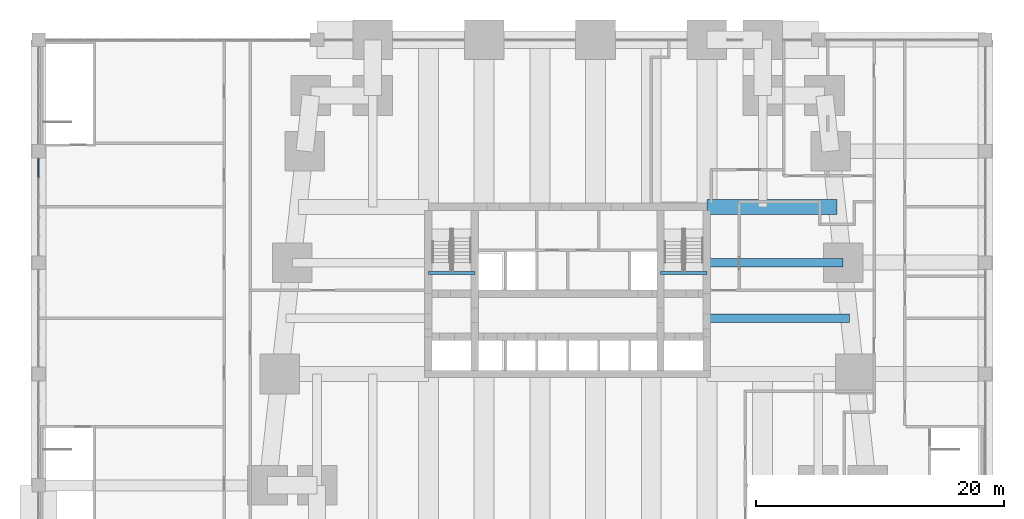
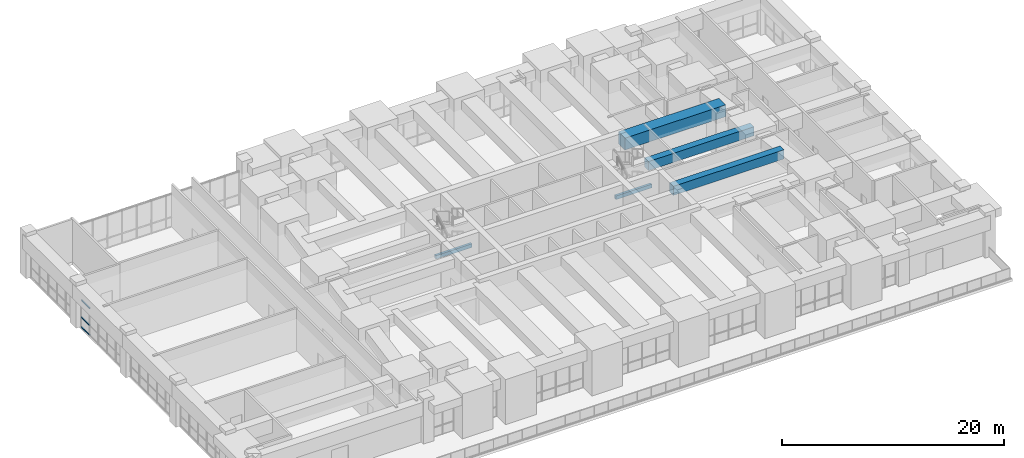
# One storey, part 7 of 22: 5 beams, 3 members, 1 element without a shape of its own.
"""IFC4 building model written with IfcOpenShell, lengths in metres."""

from ifc_helpers import new_model, si_unit, direction, frame, origin, origin_2d, place, context, subcontext, project, spatial, rectangle, extrude, material, material_profile, profile_set, type_object, element, aggregate, save


model = new_model("IFC4")

# Units and contexts
model_context = context("Model", 3, precision=1e-05, world=origin(), true_north=direction((0.0, 1.0)))
body_context = subcontext(model_context, "Body", "Model", "MODEL_VIEW")
ifc_project = project(units=[si_unit("LENGTHUNIT", "METRE"), si_unit("AREAUNIT", "SQUARE_METRE"), si_unit("VOLUMEUNIT", "CUBIC_METRE"), si_unit("PLANEANGLEUNIT", "RADIAN"), si_unit("MASSUNIT", "GRAM", prefix="KILO")], contexts=[model_context])

# Site, building, storey
site_placement = place(None, origin())
site = spatial("IfcSite", under=ifc_project, at=site_placement, CompositionType="ELEMENT")
building_placement = place(site_placement, origin())
building = spatial("IfcBuilding", under=site, at=building_placement, Name="Kilele Tower Hotel", CompositionType="ELEMENT")
storey_placement = place(building_placement, frame((0.0, 0.0, 19.0)))
storey = spatial("IfcBuildingStorey", under=building, at=storey_placement, Name="L03", CompositionType="ELEMENT", Elevation=19.0)

# Beams
ifc_material_1 = material(Name="Concrete C60/75", Category="concrete")
ifc_material_profile_1 = material_profile(ifc_material_1, rectangle(XDim=0.699951171875, YDim=1.0, at=origin_2d()))
ifc_profile_set_1 = profile_set([ifc_material_profile_1], Name="Concrete C60/75")
beam_type_1 = type_object("IfcBeamType", Name="Beam RC 700x1000 C60/75 mid span", PredefinedType="BEAM", material=ifc_profile_set_1)
beam_1_placement = place(storey_placement, frame((47.5, 18.0, 4.10009765625), z_axis=(-1.0, 0.0, 0.0), x_axis=(0.0, -1.0, 0.0)))
element("IfcBeam", 1, at=beam_1_placement, inside=storey, type_object=beam_type_1, Name="Beam B5 level L04", PredefinedType="BEAM", context=body_context, shape_type="SweptSolid", body=[
    extrude(rectangle(XDim=0.699951171875, YDim=1.0, at=origin_2d()), origin(), (0.0, 0.0, 1.0), 11.5),
])
beam_2_placement = place(storey_placement, frame((47.0, 22.5, 4.10009765625), z_axis=(-1.0, 0.0, 0.0), x_axis=(0.0, -1.0, 0.0)))
element("IfcBeam", 2, at=beam_2_placement, inside=storey, type_object=beam_type_1, Name="Beam B5 level L04", PredefinedType="BEAM", context=body_context, shape_type="SweptSolid", body=[
    extrude(rectangle(XDim=0.699951171875, YDim=1.0, at=origin_2d()), origin(), (0.0, 0.0, 1.0), 11.0),
])
ifc_material_2 = material(Name="Concrete C60/75", Category="concrete")
ifc_material_profile_2 = material_profile(ifc_material_2, rectangle(XDim=1.199951171875, YDim=1.300048828125, at=origin_2d()))
ifc_profile_set_2 = profile_set([ifc_material_profile_2], Name="Concrete C60/75")
beam_type_2 = type_object("IfcBeamType", Name="Girder RC 1200x1300 C60/75 mid span tie", PredefinedType="BEAM", material=ifc_profile_set_2)
beam_3_placement = place(storey_placement, frame((46.5, 27.0, 3.949951171875), z_axis=(-1.0, 0.0, 0.0), x_axis=(0.0, -1.0, 0.0)))
element("IfcBeam", 3, at=beam_3_placement, inside=storey, type_object=beam_type_2, Name="Girder G4 level L04", PredefinedType="BEAM", context=body_context, shape_type="SweptSolid", body=[
    extrude(rectangle(XDim=1.199951171875, YDim=1.300048828125, at=origin_2d()), origin(), (0.0, 0.0, 1.0), 10.5),
])
ifc_material_3 = material(Name="Concrete C40/50", Category="concrete")
ifc_material_profile_3 = material_profile(ifc_material_3, rectangle(XDim=0.25, YDim=0.39990234375, at=origin_2d()))
ifc_profile_set_3 = profile_set([ifc_material_profile_3], Name="Concrete C40/50")
beam_type_3 = type_object("IfcBeamType", Name="Landing beam RC 250x400 C40/50", PredefinedType="BEAM", material=ifc_profile_set_3)
for number, where, z_axis, x_axis, name in (
    (4, (13.5, 21.64990234375, 2.300048828125), (1.0, 0.0, 0.0), (0.0, 1.0, 0.0), "Landing beam ST1 L03"),
    (5, (32.25, 21.64990234375, 2.300048828125), (1.0, 0.0, 0.0), (0.0, 1.0, 0.0), "Landing beam ST2 L03"),
):
    element("IfcBeam", number, at=place(storey_placement, frame(where, z_axis=z_axis, x_axis=x_axis)), inside=storey, type_object=beam_type_3, Name=name, PredefinedType="BEAM", context=body_context, shape_type="SweptSolid", body=[
        extrude(rectangle(XDim=0.25, YDim=0.39990234375, at=origin_2d()), origin(), (0.0, 0.0, 1.0), 3.75),
    ])

# Curtain wall, members
ifc_material_4 = material(Name="Aluminium curtain wall, clear double glazing", Category="aluminium")
curtain_wall_type = type_object("IfcCurtainWallType", Name="Podium side curtain wall CW-2", PredefinedType="NOTDEFINED", material=ifc_material_4)
curtain_wall_placement = place(storey_placement, origin())
curtain_wall = element("IfcCurtainWall", 6, at=curtain_wall_placement, inside=storey, type_object=curtain_wall_type, Name="Podium side curtain wall CW-2 L03", PredefinedType="NOTDEFINED")
ifc_material_5 = material(Name="Aluminium EN AW-6063 T6", Category="aluminium")
ifc_material_profile_4 = material_profile(ifc_material_5, rectangle(XDim=0.1201171875, YDim=0.06005859375, at=origin_2d()))
ifc_profile_set_4 = profile_set([ifc_material_profile_4], Name="Aluminium EN AW-6063 T6")
member_type = type_object("IfcMemberType", Name="Transom 60x120 CW-2", PredefinedType="USERDEFINED", material=ifc_profile_set_4)
member_1_placement = place(storey_placement, frame((-18.0, 30.889892578125, 0.030029296875), z_axis=(0.0, -1.0, 0.0), x_axis=(1.0, 0.0, 0.0)))
member_1 = element("IfcMember", 7, at=member_1_placement, type_object=member_type, Name="CW-2 transom 1.1", ObjectType="TRANSOM", PredefinedType="USERDEFINED", context=body_context, shape_type="SweptSolid", body=[
    extrude(rectangle(XDim=0.1201171875, YDim=0.06005859375, at=origin_2d()), origin(), (0.0, 0.0, 1.0), 1.489990234375),
])
member_2_placement = place(storey_placement, frame((-18.0, 30.889892578125, 1.10009765625), z_axis=(0.0, -1.0, 0.0), x_axis=(1.0, 0.0, 0.0)))
member_2 = element("IfcMember", 8, at=member_2_placement, type_object=member_type, Name="CW-2 transom 1.2", ObjectType="TRANSOM", PredefinedType="USERDEFINED", context=body_context, shape_type="SweptSolid", body=[
    extrude(rectangle(XDim=0.1201171875, YDim=0.06005859375, at=origin_2d()), origin(), (0.0, 0.0, 1.0), 1.489990234375),
])
member_3_placement = place(storey_placement, frame((-18.0, 30.889892578125, 2.969970703125), z_axis=(0.0, -1.0, 0.0), x_axis=(1.0, 0.0, 0.0)))
member_3 = element("IfcMember", 9, at=member_3_placement, type_object=member_type, Name="CW-2 transom 1.3", ObjectType="TRANSOM", PredefinedType="USERDEFINED", context=body_context, shape_type="SweptSolid", body=[
    extrude(rectangle(XDim=0.1201171875, YDim=0.06005859375, at=origin_2d()), origin(), (0.0, 0.0, 1.0), 1.489990234375),
])
aggregate(curtain_wall, [member_1, member_2, member_3])

save(model, "model.ifc")
